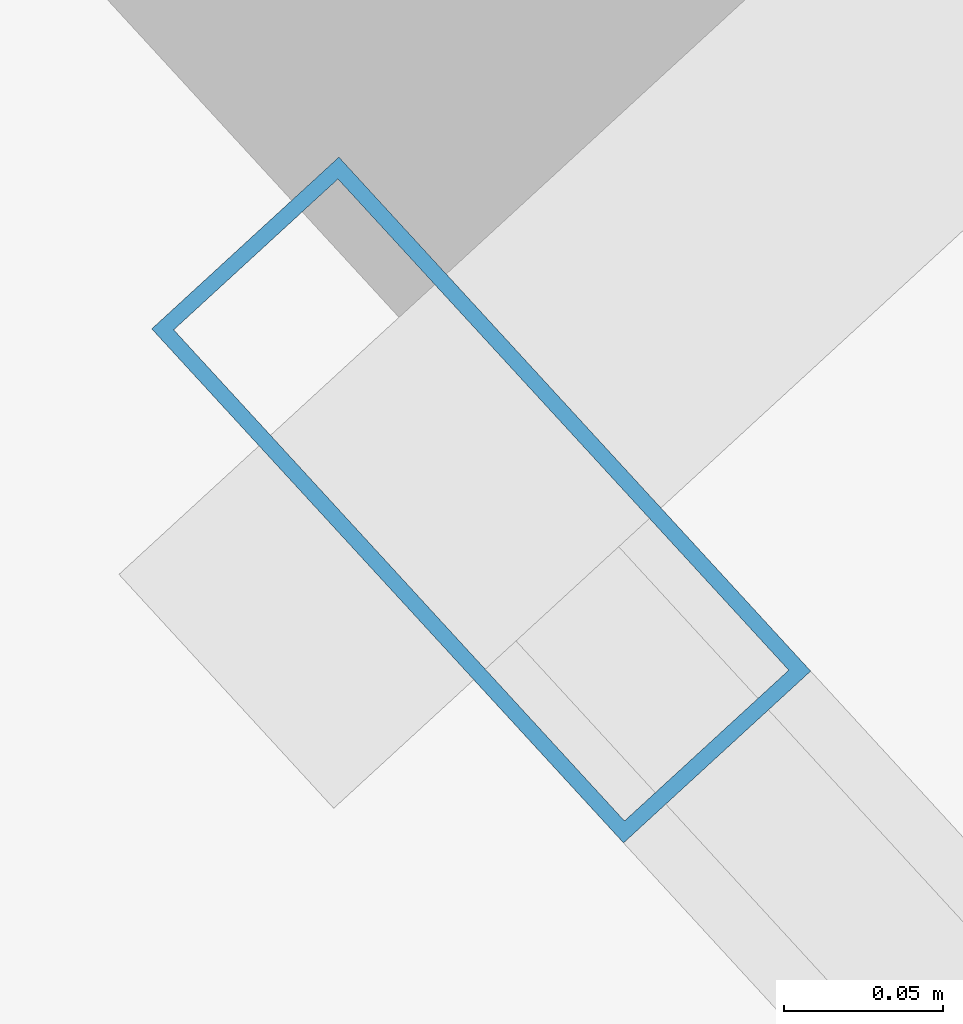
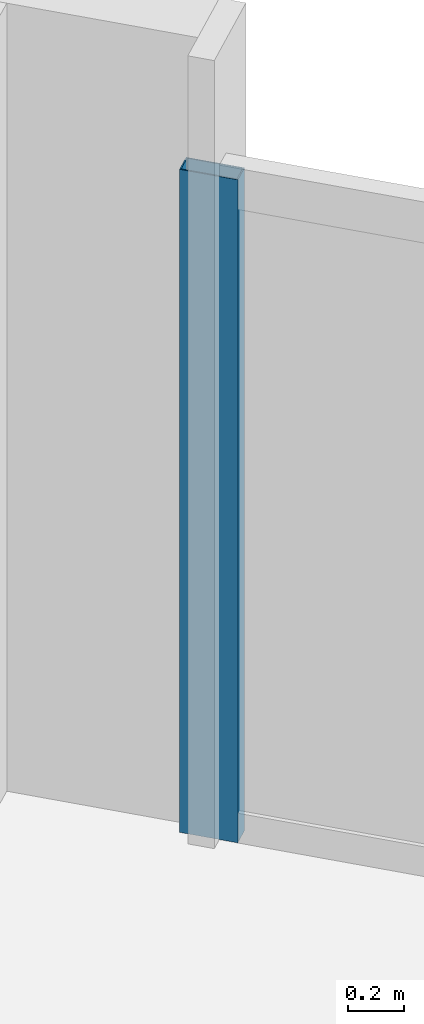
# One storey, part 23 of 32: 1 member, 1 element without a shape of its own.
"""IFC4 building model written with IfcOpenShell, lengths in metres."""

import ifcopenshell
import ifcopenshell.guid

model = None  # the IFC model being written
_history = None  # IfcOwnerHistory: only IFC2X3 demands one
_inside = {}  # id of a spatial element -> (the spatial element, [elements in it])
_under = {}  # id of a project, library or spatial element -> (it, [spatial elements below it])
_declared = {}  # id of a project -> (the project, [libraries it declares])
_typed = {}  # id of a type object -> (the type object, [elements of that type])
_made_of = {}  # id of a material, layer set ... -> (it, [elements and type objects made of it])


def new_model(schema):
    """Start an empty IFC model of exactly this schema.

    Asked for "IFC4X3", IfcOpenShell would pick the latest addendum, in which some entities
    have other attributes; the version numbers below select the first issue.
    IFC2X3 requires an IfcOwnerHistory on every rooted entity: one is made here for all.
    """
    global model, _history
    if schema == "IFC4X3":
        model = ifcopenshell.file(schema_version=(4, 3, 0, 0))
    else:
        model = ifcopenshell.file(schema=schema)
    _inside.clear()
    _under.clear()
    _declared.clear()
    _typed.clear()
    _made_of.clear()
    _history = None
    if model.schema == "IFC2X3":
        org = make("IfcOrganization", Name="unknown")
        user = make(
            "IfcPersonAndOrganization",
            ThePerson=make("IfcPerson", FamilyName="unknown"),
            TheOrganization=org,
        )
        app = make(
            "IfcApplication",
            ApplicationDeveloper=org,
            Version="unknown",
            ApplicationFullName="unknown",
            ApplicationIdentifier="unknown",
        )
        _history = make(
            "IfcOwnerHistory",
            OwningUser=user,
            OwningApplication=app,
            ChangeAction="ADDED",
            CreationDate=0,
        )
    return model


def make(cls, **values):
    """One entity of the class cls with the attributes given. An attribute that is None is left unset."""
    return model.create_entity(
        cls, **{name: value for name, value in values.items() if value is not None}
    )


def rooted(cls, **values):
    """An entity with a GlobalId (a new one), such as an element, a storey or a relation."""
    return make(cls, GlobalId=ifcopenshell.guid.new(), OwnerHistory=_history, **values)


def si_unit(unit_type, name, prefix=None):
    """IfcSIUnit, for example si_unit("LENGTHUNIT", "METRE", prefix="MILLI")."""
    return make("IfcSIUnit", UnitType=unit_type, Prefix=prefix, Name=name)


def assignment(units):
    """IfcUnitAssignment: the units of a project."""
    return None if units is None else make("IfcUnitAssignment", Units=units)


def point(xyz):
    """IfcCartesianPoint."""
    return None if xyz is None else make("IfcCartesianPoint", Coordinates=xyz)


def direction(xyz):
    """IfcDirection."""
    return None if xyz is None else make("IfcDirection", DirectionRatios=xyz)


def frame(location, z_axis=None, x_axis=None):
    """IfcAxis2Placement3D, a coordinate frame: its origin and axes. An axis left out is left unset."""
    return make(
        "IfcAxis2Placement3D",
        Location=point(location),
        Axis=direction(z_axis),
        RefDirection=direction(x_axis),
    )


def frame_2d(location, x_axis=None):
    """IfcAxis2Placement2D, a coordinate frame in the plane: its origin and x axis."""
    return make(
        "IfcAxis2Placement2D", Location=point(location), RefDirection=direction(x_axis)
    )


def origin():
    """The frame at (0, 0, 0) with its axes left unset."""
    return frame((0.0, 0.0, 0.0))


def origin_2d():
    """The frame at (0, 0) in the plane with its x axis left unset."""
    return frame_2d((0.0, 0.0))


def place(relative_to, where):
    """IfcLocalPlacement: puts the frame where relative to a parent placement (None: the world)."""
    return make(
        "IfcLocalPlacement", PlacementRelTo=relative_to, RelativePlacement=where
    )


def context(
    kind, dimensions, precision=None, world=None, true_north=None, identifier=None
):
    """IfcGeometricRepresentationContext, for example the 3D "Model" context."""
    return make(
        "IfcGeometricRepresentationContext",
        ContextIdentifier=identifier,
        ContextType=kind,
        CoordinateSpaceDimension=dimensions,
        Precision=precision,
        WorldCoordinateSystem=world,
        TrueNorth=true_north,
    )


def subcontext(parent, identifier, kind, view, scale=None):
    """IfcGeometricRepresentationSubContext, for example "Body" below "Model"."""
    return make(
        "IfcGeometricRepresentationSubContext",
        ContextIdentifier=identifier,
        ContextType=kind,
        ParentContext=parent,
        TargetScale=scale,
        TargetView=view,
    )


def project(units=None, contexts=None):
    """IfcProject with its units and contexts."""
    return rooted(
        "IfcProject",
        Name="project",
        RepresentationContexts=contexts,
        UnitsInContext=assignment(units),
    )


def spatial(cls, under=None, at=None, **own):
    """A site, building, storey or space (cls), placed at a placement, below another one or the project."""
    s = rooted(cls, ObjectPlacement=at, **own)
    if under is not None:
        _under.setdefault(under.id(), (under, []))[1].append(s)
    return s


def profile(cls, at=None, kind="AREA", **sizes):
    """A parametric profile (cls). Its sizes go by their IFC names, for example OverallWidth=200.0."""
    return make(cls, ProfileType=kind, Position=at, **sizes)


def hollow_rectangle(**sizes):
    """IfcRectangleHollowProfileDef."""
    return profile("IfcRectangleHollowProfileDef", **sizes)


def extrude(swept, where, along, depth):
    """IfcExtrudedAreaSolid: the profile swept, set in the frame where, extruded along a direction by depth."""
    return make(
        "IfcExtrudedAreaSolid",
        SweptArea=swept,
        Position=where,
        ExtrudedDirection=direction(along),
        Depth=depth,
    )


def shape(context_of_items, identifier, shape_type, items):
    """IfcShapeRepresentation: the items that make up one representation, for example the "Body"."""
    return make(
        "IfcShapeRepresentation",
        ContextOfItems=context_of_items,
        RepresentationIdentifier=identifier,
        RepresentationType=shape_type,
        Items=items,
    )


def material(Name=None, Category=None):
    """IfcMaterial."""
    return make("IfcMaterial", Name=Name, Category=Category)


def material_profile(
    of_material, cross_section, Name=None, Category=None, Priority=None
):
    """IfcMaterialProfile: a cross section and its material."""
    return make(
        "IfcMaterialProfile",
        Name=Name,
        Material=of_material,
        Profile=cross_section,
        Priority=Priority,
        Category=Category,
    )


def profile_set(profiles, Name=None, composite=None):
    """IfcMaterialProfileSet."""
    return make(
        "IfcMaterialProfileSet",
        Name=Name,
        MaterialProfiles=profiles,
        CompositeProfile=composite,
    )


def made_of(thing, what):
    """Note that an element or type object is made of a material, layer set ...; save() writes the relation."""
    if what is not None:
        _made_of.setdefault(what.id(), (what, []))[1].append(thing)
    return thing


def type_object(cls, material=None, **own):
    """A type object (cls), such as IfcWallType, which elements share."""
    return made_of(rooted(cls, **own), material)


def element(
    cls,
    number,
    at=None,
    inside=None,
    cuts=None,
    type_object=None,
    material=None,
    context=None,
    identifier="Body",
    shape_type=None,
    held_by="IfcProductDefinitionShape",
    body=None,
    shapes=None,
    **own,
):
    """One element of the class cls, such as IfcWall. Its Tag is "e" and its number.

    at: its placement. inside: the storey or other place that contains it. cuts: it is an
    opening in that element (IfcRelVoidsElement). A single representation is given by context,
    identifier, shape_type and body (its items); several are given by shapes. held_by: the class
    of the entity that holds the representations. save() writes the other relations.
    """
    e = rooted(cls, Tag="e%d" % number, ObjectPlacement=at, **own)
    if body is not None:
        shapes = [shape(context, identifier, shape_type, body)]
    if shapes is not None:
        e.Representation = make(held_by, Representations=shapes)
    if inside is not None:
        _inside.setdefault(inside.id(), (inside, []))[1].append(e)
    if cuts is not None:
        rooted(
            "IfcRelVoidsElement", RelatingBuildingElement=cuts, RelatedOpeningElement=e
        )
    if type_object is not None:
        _typed.setdefault(type_object.id(), (type_object, []))[1].append(e)
    return made_of(e, material)


def aggregate(whole, parts):
    """IfcRelAggregates: a whole, such as a stair, and the parts it consists of."""
    return rooted("IfcRelAggregates", RelatingObject=whole, RelatedObjects=parts)


def save(model, path):
    """Write the relations noted so far, then the file.

    IfcRelAggregates (storeys below a building ...), IfcRelContainedInSpatialStructure (elements
    in a storey), IfcRelDefinesByType, IfcRelAssociatesMaterial and IfcRelDeclares: one each for
    every whole, place, type object, material and project.
    """
    for whole, parts in _under.values():
        aggregate(whole, parts)
    for where, things in _inside.values():
        rooted(
            "IfcRelContainedInSpatialStructure",
            RelatedElements=things,
            RelatingStructure=where,
        )
    for kind, things in _typed.values():
        rooted("IfcRelDefinesByType", RelatedObjects=things, RelatingType=kind)
    for what, things in _made_of.values():
        rooted("IfcRelAssociatesMaterial", RelatedObjects=things, RelatingMaterial=what)
    for by, libraries in _declared.values():
        rooted("IfcRelDeclares", RelatingContext=by, RelatedDefinitions=libraries)
    model.write(path)


model = new_model("IFC4")

# Units and contexts
model_context = context("Model", 3, precision=1e-05, world=origin(), true_north=direction((0.0, 1.0)))
body_context = subcontext(model_context, "Body", "Model", "MODEL_VIEW")
ifc_project = project(units=[si_unit("LENGTHUNIT", "METRE"), si_unit("AREAUNIT", "SQUARE_METRE"), si_unit("VOLUMEUNIT", "CUBIC_METRE"), si_unit("PLANEANGLEUNIT", "RADIAN"), si_unit("MASSUNIT", "GRAM", prefix="KILO")], contexts=[model_context])

# Site, building, storey
site_placement = place(None, origin())
site = spatial("IfcSite", under=ifc_project, at=site_placement, CompositionType="ELEMENT")
building_placement = place(site_placement, origin())
building = spatial("IfcBuilding", under=site, at=building_placement, Name="Haldenkirk Collegiate Tower", CompositionType="ELEMENT")
storey_placement = place(building_placement, frame((0.0, 0.0, 170.699951171875)))
storey = spatial("IfcBuildingStorey", under=building, at=storey_placement, Name="L42", CompositionType="ELEMENT", Elevation=170.699951171875)

# Curtain wall, member
ifc_material = material(Name="Anodised architectural bronze aluminium", Category="aluminium")
curtain_wall_type = type_object("IfcCurtainWallType", Name="CW-SYS1-CONVEX-LOW", PredefinedType="USERDEFINED", material=ifc_material)
curtain_wall_placement = place(storey_placement, origin())
curtain_wall = element("IfcCurtainWall", 1, at=curtain_wall_placement, inside=storey, type_object=curtain_wall_type, Name="L42 Lower tower convex bronze-framed unitised curtain wall", ObjectType="UNITISED CURTAIN WALL", PredefinedType="USERDEFINED")
ifc_material_profile = material_profile(ifc_material, hollow_rectangle(XDim=0.080078125, YDim=0.219970703125, WallThickness=0.0048828125, at=origin_2d()), Name="CW-MUL-1A")
ifc_profile_set = profile_set([ifc_material_profile], Name="Anodised architectural bronze aluminium")
member_type = type_object("IfcMemberType", Name="CW-MUL-1A", PredefinedType="MULLION", material=ifc_profile_set)
member_placement = place(storey_placement, frame((41.656982421875, 56.31884765625, 0.0), z_axis=(0.0, 0.0, 1.0), x_axis=(0.736687198604, 0.676233666282, 0.0)))
member = element("IfcMember", 2, at=member_placement, type_object=member_type, Name="CW-1A mullion 1", PredefinedType="MULLION", context=body_context, shape_type="SweptSolid", body=[
    extrude(hollow_rectangle(XDim=0.080078125, YDim=0.219970703125, WallThickness=0.0048828125, at=origin_2d()), origin(), (0.0, 0.0, 1.0), 2.9111328125),
])
aggregate(curtain_wall, [member])

save(model, "model.ifc")
